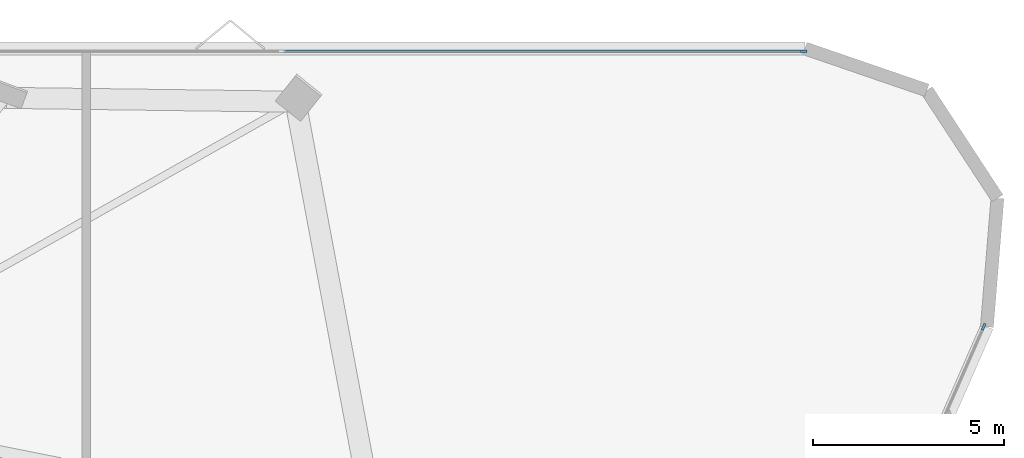
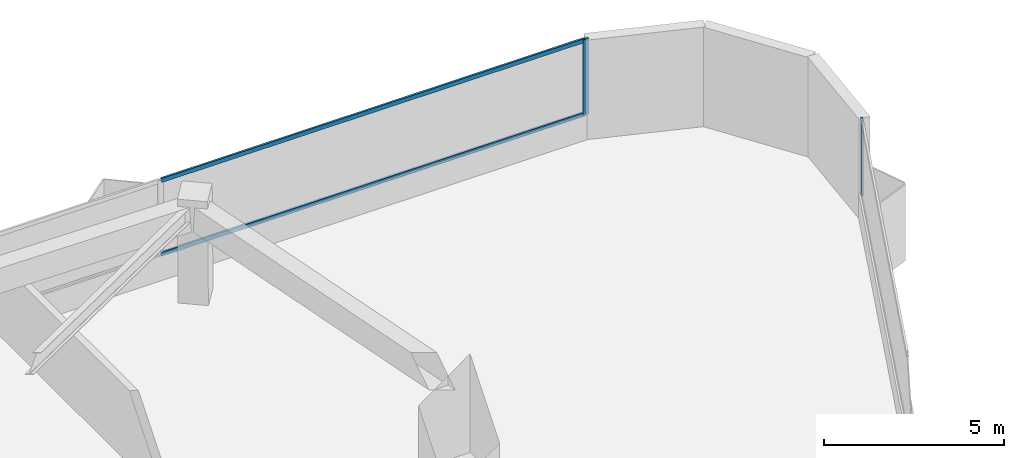
# One storey, part 14 of 20: 4 members, 2 elements without a shape of their own.
"""IFC4 building model written with IfcOpenShell, lengths in metres."""

from ifc_helpers import new_model, si_unit, direction, frame, origin, origin_2d, place, context, subcontext, project, spatial, rectangle, extrude, material, layer, layer_set, material_profile, profile_set, type_object, element, aggregate, save


model = new_model("IFC4")

# Units and contexts
model_context = context("Model", 3, precision=1e-05, world=origin(), true_north=direction((0.0, 1.0)))
body_context = subcontext(model_context, "Body", "Model", "MODEL_VIEW")
ifc_project = project(units=[si_unit("LENGTHUNIT", "METRE"), si_unit("AREAUNIT", "SQUARE_METRE"), si_unit("VOLUMEUNIT", "CUBIC_METRE"), si_unit("PLANEANGLEUNIT", "RADIAN"), si_unit("MASSUNIT", "GRAM", prefix="KILO")], contexts=[model_context])

# Site, building, storey
site_placement = place(None, origin())
site = spatial("IfcSite", under=ifc_project, at=site_placement, CompositionType="ELEMENT")
building_placement = place(site_placement, origin())
building = spatial("IfcBuilding", under=site, at=building_placement, Name="Talyreon Biosciences Tower", CompositionType="ELEMENT")
storey_placement = place(building_placement, frame((0.0, 0.0, 75.0)))
storey = spatial("IfcBuildingStorey", under=building, at=storey_placement, Name="L19", CompositionType="ELEMENT", Elevation=75.0)

# Curtain wall, member
ifc_material_1 = material(Name="Thermally broken aluminium and low-E glazing", Category="aluminium")
ifc_layer = layer(ifc_material_1, 0.18994140625)
ifc_layer_set = layer_set([ifc_layer], Name="Thermally broken aluminium and low-E glazing")
curtain_wall_type = type_object("IfcCurtainWallType", Name="CurtainWall_Zone2Genomics", PredefinedType="NOTDEFINED", material=ifc_layer_set)
curtain_wall_1_placement = place(storey_placement, origin())
curtain_wall_1 = element("IfcCurtainWall", 1, at=curtain_wall_1_placement, inside=storey, type_object=curtain_wall_type, Name="L19 Unitised Curtain Wall FCW-L19-04", PredefinedType="NOTDEFINED")
ifc_material_2 = material(Name="Anodised thermally broken aluminium", Category="aluminium")
ifc_material_profile_1 = material_profile(ifc_material_2, rectangle(XDim=0.06494140625, YDim=0.179931640625, at=origin_2d()), Name="ALUM MULLION 65x180")
ifc_profile_set_1 = profile_set([ifc_material_profile_1], Name="Anodised thermally broken aluminium")
member_type_1 = type_object("IfcMemberType", Name="CWMullion_65x180", PredefinedType="MULLION", material=ifc_profile_set_1)
member_1_placement = place(storey_placement, frame((93.3173828125, 91.007080078125, 0.81005859375), z_axis=(0.0, 0.0, 1.0), x_axis=(0.0, 1.0, 0.0)))
member_1 = element("IfcMember", 2, at=member_1_placement, type_object=member_type_1, Name="CW3 mullion 5", PredefinedType="MULLION", context=body_context, shape_type="SweptSolid", body=[
    extrude(rectangle(XDim=0.06494140625, YDim=0.179931640625, at=origin_2d()), origin(), (0.0, 0.0, 1.0), 2.56494140625),
])

curtain_wall_2_placement = place(storey_placement, origin())
curtain_wall_2 = element("IfcCurtainWall", 3, at=curtain_wall_2_placement, inside=storey, type_object=curtain_wall_type, Name="L19 Unitised Curtain Wall FCW-L19-08", PredefinedType="NOTDEFINED")
member_2_placement = place(storey_placement, frame((98.027587890625, 83.804931640625, 0.81005859375), z_axis=(0.0, 0.0, 1.0), x_axis=(0.916151953082, -0.400831135099, 0.0)))
member_2 = element("IfcMember", 4, at=member_2_placement, type_object=member_type_1, Name="CW3 mullion 1", PredefinedType="MULLION", context=body_context, shape_type="SweptSolid", body=[
    extrude(rectangle(XDim=0.06494140625, YDim=0.179931640625, at=origin_2d()), origin(), (0.0, 0.0, 1.0), 2.56494140625),
])
aggregate(curtain_wall_2, [member_2])

# Member
ifc_material_profile_2 = material_profile(ifc_material_2, rectangle(XDim=0.06494140625, YDim=0.139892578125, at=origin_2d()), Name="ALUM TRANSOM 65x140")
ifc_profile_set_2 = profile_set([ifc_material_profile_2], Name="Anodised thermally broken aluminium")
member_type_2 = type_object("IfcMemberType", Name="CWTransom_65x140", PredefinedType="USERDEFINED", material=ifc_profile_set_2)
member_3_placement = place(storey_placement, frame((79.70751953125, 91.007080078125, 0.842529296875), z_axis=(1.0, 0.0, 0.0), x_axis=(0.0, 1.0, 0.0)))
member_3 = element("IfcMember", 5, at=member_3_placement, type_object=member_type_2, Name="CW3 transom 4.1", ObjectType="TRANSOM", PredefinedType="USERDEFINED", context=body_context, shape_type="SweptSolid", body=[
    extrude(rectangle(XDim=0.06494140625, YDim=0.139892578125, at=origin_2d()), origin(), (0.0, 0.0, 1.0), 13.577392578125),
])

member_4_placement = place(storey_placement, frame((79.70751953125, 91.007080078125, 3.342529296875), z_axis=(1.0, 0.0, 0.0), x_axis=(0.0, 1.0, 0.0)))
member_4 = element("IfcMember", 6, at=member_4_placement, type_object=member_type_2, Name="CW3 transom 4.2", ObjectType="TRANSOM", PredefinedType="USERDEFINED", context=body_context, shape_type="SweptSolid", body=[
    extrude(rectangle(XDim=0.06494140625, YDim=0.139892578125, at=origin_2d()), origin(), (0.0, 0.0, 1.0), 13.577392578125),
])

aggregate(curtain_wall_1, [member_1, member_3, member_4])

save(model, "model.ifc")
